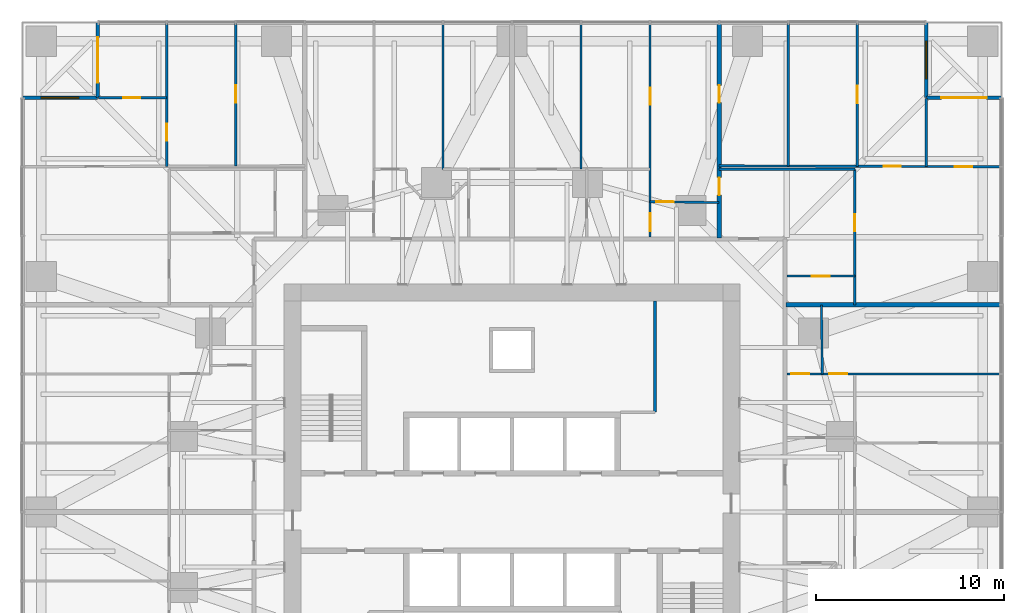
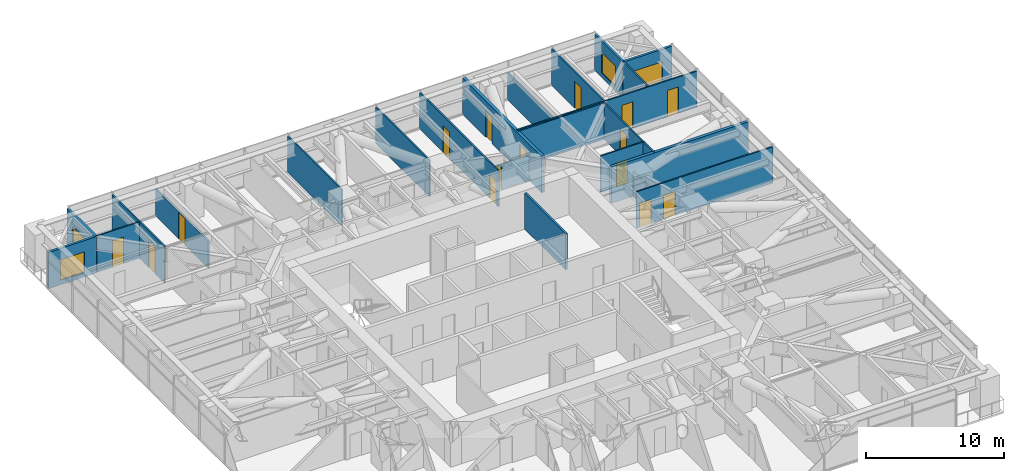
# One storey, part 15 of 17: 23 walls, 17 doors, 2 windows, 19 openings.
"""IFC4 building model written with IfcOpenShell, lengths in metres."""

from ifc_helpers import new_model, si_unit, direction, frame, frame_2d, origin, place, context, subcontext, project, spatial, rectangle, extrude, material, layer, layer_set, type_object, element, fill, save


model = new_model("IFC4")

# Units and contexts
model_context = context("Model", 3, precision=1e-05, world=origin(), true_north=direction((0.0, 1.0)))
body_context = subcontext(model_context, "Body", "Model", "MODEL_VIEW")
ifc_project = project(units=[si_unit("LENGTHUNIT", "METRE"), si_unit("AREAUNIT", "SQUARE_METRE"), si_unit("VOLUMEUNIT", "CUBIC_METRE"), si_unit("PLANEANGLEUNIT", "RADIAN"), si_unit("MASSUNIT", "GRAM", prefix="KILO")], contexts=[model_context])

# Site, building, storey
site_placement = place(None, origin())
site = spatial("IfcSite", under=ifc_project, at=site_placement, CompositionType="ELEMENT")
building_placement = place(site_placement, origin())
building = spatial("IfcBuilding", under=site, at=building_placement, Name="Torsade Residences", CompositionType="ELEMENT")
storey_placement = place(building_placement, frame((0.0, 0.0, 38.800048828125)))
storey = spatial("IfcBuildingStorey", under=building, at=storey_placement, Name="L10", CompositionType="ELEMENT", Elevation=38.800048828125)

# Wall, openings, doors
ifc_material_1 = material(Name="Plasterboard on steel stud", Category="steel")
ifc_layer_1 = layer(ifc_material_1, 0.1201171875)
ifc_layer_set_1 = layer_set([ifc_layer_1], Name="Plasterboard on steel stud")
wall_type_1 = type_object("IfcWallType", Name="PARTITION 120", PredefinedType="PARTITIONING", material=ifc_layer_set_1)
wall_1_placement = place(storey_placement, frame((65.9599609375, 37.333251953125, 0.0), z_axis=(0.0, 0.0, 1.0), x_axis=(-1.0, 0.0, 0.0)))
wall_1 = element("IfcWall", 1, at=wall_1_placement, inside=storey, type_object=wall_type_1, Name="Partition L10", PredefinedType="PARTITIONING", context=body_context, shape_type="SweptSolid", body=[
    extrude(rectangle(XDim=11.35986328125, YDim=0.1201171875, at=frame_2d((5.679931640625, 0.0))), origin(), (0.0, 0.0, 1.0), 3.199951171875),
])
opening_1_placement = place(wall_1_placement, frame((8.16552734375, 0.0, 0.0)))
opening_1 = element("IfcOpeningElement", 2, at=opening_1_placement, cuts=wall_1, Name="Opening D05", PredefinedType="OPENING", context=body_context, shape_type="SweptSolid", body=[
    extrude(rectangle(XDim=0.9599609375, YDim=2.10009765625, at=frame_2d((0.47998046875, 1.050048828125))), frame((0.0, 0.070068359375, 0.0), z_axis=(0.0, -1.0, 0.0), x_axis=(1.0, 0.0, 0.0)), (0.0, 0.0, 1.0), 0.14013671875),
])
opening_2_placement = place(wall_1_placement, frame((10.16552734375, 0.0, 0.0)))
opening_2 = element("IfcOpeningElement", 3, at=opening_2_placement, cuts=wall_1, Name="Opening D05", PredefinedType="OPENING", context=body_context, shape_type="SweptSolid", body=[
    extrude(rectangle(XDim=0.9599609375, YDim=2.10009765625, at=frame_2d((0.47998046875, 1.050048828125))), frame((0.0, 0.070068359375, 0.0), z_axis=(0.0, -1.0, 0.0), x_axis=(1.0, 0.0, 0.0)), (0.0, 0.0, 1.0), 0.14013671875),
])
ifc_material_2 = material(Name="Hollow-core timber door in a steel cavity frame", Category="steel")
door_type_1 = type_object("IfcDoorType", Name="BATHROOM CAVITY SLIDING DOOR 960", OperationType="SLIDING_TO_LEFT", PredefinedType="DOOR", material=ifc_material_2)
door_1_placement = place(opening_1_placement, origin())
door_1 = element("IfcDoor", 4, at=door_1_placement, inside=storey, type_object=door_type_1, Name="Door Ensuite to Bedroom 1", OperationType="SLIDING_TO_LEFT", OverallHeight=2.10009765625, OverallWidth=0.9599609375, PredefinedType="DOOR", context=body_context, shape_type="SweptSolid", body=[
    extrude(rectangle(XDim=0.9599609375, YDim=2.10009765625, at=frame_2d((0.47998046875, 1.050048828125))), frame((0.0, 0.02490234375, 0.0), z_axis=(0.0, -1.0, 0.0), x_axis=(1.0, 0.0, 0.0)), (0.0, 0.0, 1.0), 0.050048828125),
])
fill(opening_1, door_1)
door_2_placement = place(opening_2_placement, origin())
door_2 = element("IfcDoor", 5, at=door_2_placement, inside=storey, type_object=door_type_1, Name="Door Ensuite to Bathroom", OperationType="SLIDING_TO_LEFT", OverallHeight=2.10009765625, OverallWidth=0.9599609375, PredefinedType="DOOR", context=body_context, shape_type="SweptSolid", body=[
    extrude(rectangle(XDim=0.9599609375, YDim=2.10009765625, at=frame_2d((0.47998046875, 1.050048828125))), frame((0.0, 0.02490234375, 0.0), z_axis=(0.0, -1.0, 0.0), x_axis=(1.0, 0.0, 0.0)), (0.0, 0.0, 1.0), 0.050048828125),
])
fill(opening_2, door_2)

# Wall
wall_2_placement = place(storey_placement, frame((56.429931640625, 41.0, 0.0), z_axis=(0.0, 0.0, 1.0), x_axis=(0.013381849808, -0.999910459039, 0.0)))
element("IfcWall", 6, at=wall_2_placement, inside=storey, type_object=wall_type_1, Name="Partition L10", PredefinedType="PARTITIONING", context=body_context, shape_type="SweptSolid", body=[
    extrude(rectangle(XDim=3.6669921875, YDim=0.1201171875, at=frame_2d((1.83349609375, 0.0))), origin(), (0.0, 0.0, 1.0), 2.199951171875),
])

# Wall, opening, door
wall_3_placement = place(storey_placement, frame((58.199951171875, 42.526123046875, 0.0), z_axis=(0.0, 0.0, 1.0), x_axis=(-1.0, 0.0, 0.0)))
wall_3 = element("IfcWall", 7, at=wall_3_placement, inside=storey, type_object=wall_type_1, Name="Partition L10", PredefinedType="PARTITIONING", context=body_context, shape_type="SweptSolid", body=[
    extrude(rectangle(XDim=3.599853515625, YDim=0.1201171875, at=frame_2d((1.7998046875, 0.0))), origin(), (0.0, 0.0, 1.0), 3.199951171875),
])
opening_3_placement = place(wall_3_placement, frame((1.320068359375, 0.0, 0.0)))
opening_3 = element("IfcOpeningElement", 8, at=opening_3_placement, cuts=wall_3, Name="Opening D05", PredefinedType="OPENING", context=body_context, shape_type="SweptSolid", body=[
    extrude(rectangle(XDim=0.9599609375, YDim=2.10009765625, at=frame_2d((0.47998046875, 1.050048828125))), frame((0.0, 0.070068359375, 0.0), z_axis=(0.0, -1.0, 0.0), x_axis=(1.0, 0.0, 0.0)), (0.0, 0.0, 1.0), 0.14013671875),
])
door_3_placement = place(opening_3_placement, origin())
door_3 = element("IfcDoor", 9, at=door_3_placement, inside=storey, type_object=door_type_1, Name="Door Kitchen and dining to Bathroom", OperationType="SLIDING_TO_LEFT", OverallHeight=2.10009765625, OverallWidth=0.9599609375, PredefinedType="DOOR", context=body_context, shape_type="SweptSolid", body=[
    extrude(rectangle(XDim=0.9599609375, YDim=2.10009765625, at=frame_2d((0.47998046875, 1.050048828125))), frame((0.0, 0.02490234375, 0.0), z_axis=(0.0, -1.0, 0.0), x_axis=(1.0, 0.0, 0.0)), (0.0, 0.0, 1.0), 0.050048828125),
])
fill(opening_3, door_3)

# Wall
wall_4_placement = place(storey_placement, frame((51.0, 48.199951171875, 0.0), z_axis=(0.0, 0.0, 1.0), x_axis=(1.0, 0.0, 0.0)))
element("IfcWall", 10, at=wall_4_placement, inside=storey, type_object=wall_type_1, Name="Partition L10", PredefinedType="PARTITIONING", context=body_context, shape_type="SweptSolid", body=[
    extrude(rectangle(XDim=7.199951171875, YDim=0.1201171875, at=frame_2d((3.60009765625, 0.0))), origin(), (0.0, 0.0, 1.0), 3.199951171875),
])

# Wall, opening, door
wall_5_placement = place(storey_placement, frame((58.199951171875, 48.199951171875, 0.0), z_axis=(0.0, 0.0, 1.0), x_axis=(0.0, -1.0, 0.0)))
wall_5 = element("IfcWall", 11, at=wall_5_placement, inside=storey, type_object=wall_type_1, Name="Partition L10", PredefinedType="PARTITIONING", context=body_context, shape_type="SweptSolid", body=[
    extrude(rectangle(XDim=7.199951171875, YDim=0.1201171875, at=frame_2d((3.60009765625, 0.0))), origin(), (0.0, 0.0, 1.0), 3.199951171875),
])
opening_4_placement = place(wall_5_placement, frame((2.376953125, 0.0, 0.0)))
opening_4 = element("IfcOpeningElement", 12, at=opening_4_placement, cuts=wall_5, Name="Opening D02", PredefinedType="OPENING", context=body_context, shape_type="SweptSolid", body=[
    extrude(rectangle(XDim=0.919921875, YDim=2.340087890625, at=frame_2d((0.4599609375, 1.169921875))), frame((0.0, 0.070068359375, 0.0), z_axis=(0.0, -1.0, 0.0), x_axis=(1.0, 0.0, 0.0)), (0.0, 0.0, 1.0), 0.14013671875),
])
ifc_material_3 = material(Name="Hollow-core timber door", Category="wood")
door_type_2 = type_object("IfcDoorType", Name="INTERNAL DOOR 920x2340", OperationType="NOTDEFINED", PredefinedType="DOOR", material=ifc_material_3)
door_4_placement = place(opening_4_placement, origin())
door_4 = element("IfcDoor", 13, at=door_4_placement, inside=storey, type_object=door_type_2, Name="Door Kitchen and dining to Living room", OperationType="SINGLE_SWING_LEFT", OverallHeight=2.340087890625, OverallWidth=0.919921875, PredefinedType="DOOR", context=body_context, shape_type="SweptSolid", body=[
    extrude(rectangle(XDim=0.919921875, YDim=2.340087890625, at=frame_2d((0.4599609375, 1.169921875))), frame((0.0, 0.02490234375, 0.0), z_axis=(0.0, -1.0, 0.0), x_axis=(1.0, 0.0, 0.0)), (0.0, 0.0, 1.0), 0.050048828125),
])
fill(opening_4, door_4)

# Wall, openings, doors
wall_6_placement = place(storey_placement, frame((51.0, 48.38330078125, 0.0), z_axis=(0.0, 0.0, 1.0), x_axis=(0.9999944038, -0.003345499915, 0.0)))
wall_6 = element("IfcWall", 14, at=wall_6_placement, inside=storey, type_object=wall_type_1, Name="Partition L10", PredefinedType="PARTITIONING", context=body_context, shape_type="SweptSolid", body=[
    extrude(rectangle(XDim=14.9599609375, YDim=0.1201171875, at=frame_2d((7.47998046875, 0.0))), origin(), (0.0, 0.0, 1.0), 3.199951171875),
])
opening_5_placement = place(wall_6_placement, frame((12.51513671875, 0.0, 0.0)))
opening_5 = element("IfcOpeningElement", 15, at=opening_5_placement, cuts=wall_6, Name="Opening D02", PredefinedType="OPENING", context=body_context, shape_type="SweptSolid", body=[
    extrude(rectangle(XDim=0.919921875, YDim=2.340087890625, at=frame_2d((0.4599609375, 1.169921875))), frame((0.0, 0.070068359375, 0.0), z_axis=(0.0, -1.0, 0.0), x_axis=(1.0, 0.0, 0.0)), (0.0, 0.0, 1.0), 0.14013671875),
])
opening_6_placement = place(wall_6_placement, frame((8.731689453125, 0.0, 0.0)))
opening_6 = element("IfcOpeningElement", 16, at=opening_6_placement, cuts=wall_6, Name="Opening D02", PredefinedType="OPENING", context=body_context, shape_type="SweptSolid", body=[
    extrude(rectangle(XDim=0.919921875, YDim=2.340087890625, at=frame_2d((0.4599609375, 1.169921875))), frame((0.0, 0.070068359375, 0.0), z_axis=(0.0, -1.0, 0.0), x_axis=(1.0, 0.0, 0.0)), (0.0, 0.0, 1.0), 0.14013671875),
])
door_5_placement = place(opening_5_placement, origin())
door_5 = element("IfcDoor", 17, at=door_5_placement, inside=storey, type_object=door_type_2, Name="Door Living room to Family room", OperationType="SINGLE_SWING_LEFT", OverallHeight=2.340087890625, OverallWidth=0.919921875, PredefinedType="DOOR", context=body_context, shape_type="SweptSolid", body=[
    extrude(rectangle(XDim=0.919921875, YDim=2.340087890625, at=frame_2d((0.4599609375, 1.169921875))), frame((0.0, 0.02490234375, 0.0), z_axis=(0.0, -1.0, 0.0), x_axis=(1.0, 0.0, 0.0)), (0.0, 0.0, 1.0), 0.050048828125),
])
fill(opening_5, door_5)
door_6_placement = place(opening_6_placement, origin())
door_6 = element("IfcDoor", 18, at=door_6_placement, inside=storey, type_object=door_type_2, Name="Door Living room to Bedroom 1", OperationType="SINGLE_SWING_RIGHT", OverallHeight=2.340087890625, OverallWidth=0.919921875, PredefinedType="DOOR", context=body_context, shape_type="SweptSolid", body=[
    extrude(rectangle(XDim=0.919921875, YDim=2.340087890625, at=frame_2d((0.4599609375, 1.169921875))), frame((0.0, 0.02490234375, 0.0), z_axis=(0.0, -1.0, 0.0), x_axis=(1.0, 0.0, 0.0)), (0.0, 0.0, 1.0), 0.050048828125),
])
fill(opening_6, door_6)

# Wall, opening, door
wall_7_placement = place(storey_placement, frame((58.333251953125, 48.333251953125, 0.0), z_axis=(0.0, 0.0, 1.0), x_axis=(0.0, 1.0, 0.0)))
wall_7 = element("IfcWall", 19, at=wall_7_placement, inside=storey, type_object=wall_type_1, Name="Partition L10", PredefinedType="PARTITIONING", context=body_context, shape_type="SweptSolid", body=[
    extrude(rectangle(XDim=7.626708984375, YDim=0.1201171875, at=frame_2d((3.8134765625, 0.0))), origin(), (0.0, 0.0, 1.0), 3.199951171875),
])
opening_7_placement = place(wall_7_placement, frame((3.373291015625, 0.0, 0.0)))
opening_7 = element("IfcOpeningElement", 20, at=opening_7_placement, cuts=wall_7, Name="Opening D02", PredefinedType="OPENING", context=body_context, shape_type="SweptSolid", body=[
    extrude(rectangle(XDim=0.919921875, YDim=2.340087890625, at=frame_2d((0.4599609375, 1.169921875))), frame((0.0, 0.070068359375, 0.0), z_axis=(0.0, -1.0, 0.0), x_axis=(1.0, 0.0, 0.0)), (0.0, 0.0, 1.0), 0.14013671875),
])
door_7_placement = place(opening_7_placement, origin())
door_7 = element("IfcDoor", 21, at=door_7_placement, inside=storey, type_object=door_type_2, Name="Door Bedroom 1 to Study", OperationType="SINGLE_SWING_RIGHT", OverallHeight=2.340087890625, OverallWidth=0.919921875, PredefinedType="DOOR", context=body_context, shape_type="SweptSolid", body=[
    extrude(rectangle(XDim=0.919921875, YDim=2.340087890625, at=frame_2d((0.4599609375, 1.169921875))), frame((0.0, 0.02490234375, 0.0), z_axis=(0.0, -1.0, 0.0), x_axis=(1.0, 0.0, 0.0)), (0.0, 0.0, 1.0), 0.050048828125),
])
fill(opening_7, door_7)

# Walls
wall_8_placement = place(storey_placement, frame((62.0, 51.9599609375, 0.0), z_axis=(0.0, 0.0, 1.0), x_axis=(0.0, -1.0, 0.0)))
element("IfcWall", 22, at=wall_8_placement, inside=storey, type_object=wall_type_1, Name="Partition L10", PredefinedType="PARTITIONING", context=body_context, shape_type="SweptSolid", body=[
    extrude(rectangle(XDim=3.626708984375, YDim=0.1201171875, at=frame_2d((1.8134765625, 0.0))), origin(), (0.0, 0.0, 1.0), 3.199951171875),
])
wall_9_placement = place(storey_placement, frame((54.666748046875, 55.9599609375, 0.0), z_axis=(0.0, 0.0, 1.0), x_axis=(0.0, -1.0, 0.0)))
element("IfcWall", 23, at=wall_9_placement, inside=storey, type_object=wall_type_1, Name="Partition L10", PredefinedType="PARTITIONING", context=body_context, shape_type="SweptSolid", body=[
    extrude(rectangle(XDim=7.57666015625, YDim=0.1201171875, at=frame_2d((3.788330078125, 0.0))), origin(), (0.0, 0.0, 1.0), 2.39990234375),
])

# Wall, openings, doors
wall_10_placement = place(storey_placement, frame((47.333251953125, 44.60009765625, 0.0), z_axis=(0.0, 0.0, 1.0), x_axis=(0.0, 1.0, 0.0)))
wall_10 = element("IfcWall", 24, at=wall_10_placement, inside=storey, type_object=wall_type_1, Name="Partition L10", PredefinedType="PARTITIONING", context=body_context, shape_type="SweptSolid", body=[
    extrude(rectangle(XDim=11.35986328125, YDim=0.1201171875, at=frame_2d((5.679931640625, 0.0))), origin(), (0.0, 0.0, 1.0), 3.199951171875),
])
opening_8_placement = place(wall_10_placement, frame((7.014892578125, 0.0, 0.0)))
opening_8 = element("IfcOpeningElement", 25, at=opening_8_placement, cuts=wall_10, Name="Opening D02", PredefinedType="OPENING", context=body_context, shape_type="SweptSolid", body=[
    extrude(rectangle(XDim=0.919921875, YDim=2.340087890625, at=frame_2d((0.4599609375, 1.169921875))), frame((0.0, 0.070068359375, 0.0), z_axis=(0.0, -1.0, 0.0), x_axis=(1.0, 0.0, 0.0)), (0.0, 0.0, 1.0), 0.14013671875),
])
opening_9_placement = place(wall_10_placement, frame((0.3095703125, 0.0, 0.0)))
opening_9 = element("IfcOpeningElement", 26, at=opening_9_placement, cuts=wall_10, Name="Opening D05", PredefinedType="OPENING", context=body_context, shape_type="SweptSolid", body=[
    extrude(rectangle(XDim=0.9599609375, YDim=2.10009765625, at=frame_2d((0.47998046875, 1.050048828125))), frame((0.0, 0.070068359375, 0.0), z_axis=(0.0, -1.0, 0.0), x_axis=(1.0, 0.0, 0.0)), (0.0, 0.0, 1.0), 0.14013671875),
])
door_8_placement = place(opening_9_placement, origin())
door_8 = element("IfcDoor", 27, at=door_8_placement, inside=storey, type_object=door_type_1, Name="Door Dining room to Ensuite", OperationType="SLIDING_TO_LEFT", OverallHeight=2.10009765625, OverallWidth=0.9599609375, PredefinedType="DOOR", context=body_context, shape_type="SweptSolid", body=[
    extrude(rectangle(XDim=0.9599609375, YDim=2.10009765625, at=frame_2d((0.47998046875, 1.050048828125))), frame((0.0, 0.02490234375, 0.0), z_axis=(0.0, -1.0, 0.0), x_axis=(1.0, 0.0, 0.0)), (0.0, 0.0, 1.0), 0.050048828125),
])
fill(opening_9, door_8)
door_9_placement = place(opening_8_placement, origin())
door_9 = element("IfcDoor", 28, at=door_9_placement, inside=storey, type_object=door_type_2, Name="Door Living room 2 to Bedroom 2 2", OperationType="SINGLE_SWING_LEFT", OverallHeight=2.340087890625, OverallWidth=0.919921875, PredefinedType="DOOR", context=body_context, shape_type="SweptSolid", body=[
    extrude(rectangle(XDim=0.919921875, YDim=2.340087890625, at=frame_2d((0.4599609375, 1.169921875))), frame((0.0, 0.02490234375, 0.0), z_axis=(0.0, -1.0, 0.0), x_axis=(1.0, 0.0, 0.0)), (0.0, 0.0, 1.0), 0.050048828125),
])
fill(opening_8, door_9)

# Wall, opening, door
wall_11_placement = place(storey_placement, frame((47.333251953125, 46.47900390625, 0.0), z_axis=(0.0, 0.0, 1.0), x_axis=(0.999910459039, -0.013381849808, 0.0)))
wall_11 = element("IfcWall", 29, at=wall_11_placement, inside=storey, type_object=wall_type_1, Name="Partition L10", PredefinedType="PARTITIONING", context=body_context, shape_type="SweptSolid", body=[
    extrude(rectangle(XDim=3.6669921875, YDim=0.1201171875, at=frame_2d((1.83349609375, 0.0))), origin(), (0.0, 0.0, 1.0), 2.199951171875),
])
opening_10_placement = place(wall_11_placement, frame((0.323486328125, 0.0, 0.0)))
opening_10 = element("IfcOpeningElement", 30, at=opening_10_placement, cuts=wall_11, Name="Opening D02L", PredefinedType="OPENING", context=body_context, shape_type="SweptSolid", body=[
    extrude(rectangle(XDim=0.919921875, YDim=2.10009765625, at=frame_2d((0.4599609375, 1.050048828125))), frame((0.0, 0.070068359375, 0.0), z_axis=(0.0, -1.0, 0.0), x_axis=(1.0, 0.0, 0.0)), (0.0, 0.0, 1.0), 0.14013671875),
])
ifc_material_4 = material(Name="Hollow-core timber door", Category="wood")
door_type_3 = type_object("IfcDoorType", Name="INTERNAL DOOR 920x2100", OperationType="NOTDEFINED", PredefinedType="DOOR", material=ifc_material_4)
door_10_placement = place(opening_10_placement, origin())
door_10 = element("IfcDoor", 31, at=door_10_placement, inside=storey, type_object=door_type_3, Name="Door Living room 2 to Dining room", OperationType="SINGLE_SWING_RIGHT", OverallHeight=2.10009765625, OverallWidth=0.919921875, PredefinedType="DOOR", context=body_context, shape_type="SweptSolid", body=[
    extrude(rectangle(XDim=0.919921875, YDim=2.10009765625, at=frame_2d((0.4599609375, 1.050048828125))), frame((0.0, 0.02490234375, 0.0), z_axis=(0.0, -1.0, 0.0), x_axis=(1.0, 0.0, 0.0)), (0.0, 0.0, 1.0), 0.050048828125),
])
fill(opening_10, door_10)

# Walls
for number, where, z_axis, x_axis, name in (
    (32, (43.666748046875, 55.9599609375, 0.0), (0.0, 0.0, 1.0), (0.0, -1.0, 0.0), "Partition L10"),
    (33, (36.333251953125, 48.199951171875, 0.0), (0.0, 0.0, 1.0), (0.0, 1.0, 0.0), "Partition L10"),
):
    element("IfcWall", number, at=place(storey_placement, frame(where, z_axis=z_axis, x_axis=x_axis)), inside=storey, type_object=wall_type_1, Name=name, PredefinedType="PARTITIONING", context=body_context, shape_type="SweptSolid", body=[
        extrude(rectangle(XDim=7.760009765625, YDim=0.1201171875, at=frame_2d((3.8798828125, 0.0))), origin(), (0.0, 0.0, 1.0), 3.199951171875),
    ])

# Wall, opening, door
wall_12_placement = place(storey_placement, frame((21.666748046875, 55.9599609375, 0.0), z_axis=(0.0, 0.0, 1.0), x_axis=(0.0, -1.0, 0.0)))
wall_12 = element("IfcWall", 34, at=wall_12_placement, inside=storey, type_object=wall_type_1, Name="Partition L10", PredefinedType="PARTITIONING", context=body_context, shape_type="SweptSolid", body=[
    extrude(rectangle(XDim=7.626708984375, YDim=0.1201171875, at=frame_2d((3.8134765625, 0.0))), origin(), (0.0, 0.0, 1.0), 3.199951171875),
])
opening_11_placement = place(wall_12_placement, frame((5.333251953125, 0.0, 0.0)))
opening_11 = element("IfcOpeningElement", 35, at=opening_11_placement, cuts=wall_12, Name="Opening D02", PredefinedType="OPENING", context=body_context, shape_type="SweptSolid", body=[
    extrude(rectangle(XDim=0.919921875, YDim=2.340087890625, at=frame_2d((0.4599609375, 1.169921875))), frame((0.0, 0.070068359375, 0.0), z_axis=(0.0, -1.0, 0.0), x_axis=(1.0, 0.0, 0.0)), (0.0, 0.0, 1.0), 0.14013671875),
])
door_11_placement = place(opening_11_placement, origin())
door_11 = element("IfcDoor", 36, at=door_11_placement, inside=storey, type_object=door_type_2, Name="Door Bedroom 1 to Study", OperationType="SINGLE_SWING_RIGHT", OverallHeight=2.340087890625, OverallWidth=0.919921875, PredefinedType="DOOR", context=body_context, shape_type="SweptSolid", body=[
    extrude(rectangle(XDim=0.919921875, YDim=2.340087890625, at=frame_2d((0.4599609375, 1.169921875))), frame((0.0, 0.02490234375, 0.0), z_axis=(0.0, -1.0, 0.0), x_axis=(1.0, 0.0, 0.0)), (0.0, 0.0, 1.0), 0.050048828125),
])
fill(opening_11, door_11)

wall_13_placement = place(storey_placement, frame((18.0400390625, 52.0, 0.0), z_axis=(0.0, 0.0, 1.0), x_axis=(1.0, 0.0, 0.0)))
wall_13 = element("IfcWall", 37, at=wall_13_placement, inside=storey, type_object=wall_type_1, Name="Partition L10", PredefinedType="PARTITIONING", context=body_context, shape_type="SweptSolid", body=[
    extrude(rectangle(XDim=3.626708984375, YDim=0.1201171875, at=frame_2d((1.8134765625, 0.0))), origin(), (0.0, 0.0, 1.0), 3.199951171875),
])
opening_12_placement = place(wall_13_placement, frame((1.308349609375, 0.0, 0.0)))
opening_12 = element("IfcOpeningElement", 38, at=opening_12_placement, cuts=wall_13, Name="Opening D02", PredefinedType="OPENING", context=body_context, shape_type="SweptSolid", body=[
    extrude(rectangle(XDim=0.919921875, YDim=2.340087890625, at=frame_2d((0.4599609375, 1.169921875))), frame((0.0, 0.070068359375, 0.0), z_axis=(0.0, -1.0, 0.0), x_axis=(1.0, 0.0, 0.0)), (0.0, 0.0, 1.0), 0.14013671875),
])
door_12_placement = place(opening_12_placement, origin())
door_12 = element("IfcDoor", 39, at=door_12_placement, inside=storey, type_object=door_type_2, Name="Door Bedroom 1 to Family room", OperationType="SINGLE_SWING_RIGHT", OverallHeight=2.340087890625, OverallWidth=0.919921875, PredefinedType="DOOR", context=body_context, shape_type="SweptSolid", body=[
    extrude(rectangle(XDim=0.919921875, YDim=2.340087890625, at=frame_2d((0.4599609375, 1.169921875))), frame((0.0, 0.02490234375, 0.0), z_axis=(0.0, -1.0, 0.0), x_axis=(1.0, 0.0, 0.0)), (0.0, 0.0, 1.0), 0.050048828125),
])
fill(opening_12, door_12)

wall_14_placement = place(storey_placement, frame((25.333251953125, 48.38330078125, 0.0), z_axis=(0.0, 0.0, 1.0), x_axis=(0.0, 1.0, 0.0)))
wall_14 = element("IfcWall", 40, at=wall_14_placement, inside=storey, type_object=wall_type_1, Name="Partition L10", PredefinedType="PARTITIONING", context=body_context, shape_type="SweptSolid", body=[
    extrude(rectangle(XDim=7.57666015625, YDim=0.1201171875, at=frame_2d((3.788330078125, 0.0))), origin(), (0.0, 0.0, 1.0), 2.39990234375),
])
opening_13_placement = place(wall_14_placement, frame((3.348388671875, 0.0, 0.0)))
opening_13 = element("IfcOpeningElement", 41, at=opening_13_placement, cuts=wall_14, Name="Opening D02", PredefinedType="OPENING", context=body_context, shape_type="SweptSolid", body=[
    extrude(rectangle(XDim=0.919921875, YDim=2.340087890625, at=frame_2d((0.4599609375, 1.169921875))), frame((0.0, 0.070068359375, 0.0), z_axis=(0.0, -1.0, 0.0), x_axis=(1.0, 0.0, 0.0)), (0.0, 0.0, 1.0), 0.14013671875),
])
door_13_placement = place(opening_13_placement, origin())
door_13 = element("IfcDoor", 42, at=door_13_placement, inside=storey, type_object=door_type_2, Name="Door Study to Bedroom 2", OperationType="SINGLE_SWING_LEFT", OverallHeight=2.340087890625, OverallWidth=0.919921875, PredefinedType="DOOR", context=body_context, shape_type="SweptSolid", body=[
    extrude(rectangle(XDim=0.919921875, YDim=2.340087890625, at=frame_2d((0.4599609375, 1.169921875))), frame((0.0, 0.02490234375, 0.0), z_axis=(0.0, -1.0, 0.0), x_axis=(1.0, 0.0, 0.0)), (0.0, 0.0, 1.0), 0.050048828125),
])
fill(opening_13, door_13)

# Wall
ifc_material_5 = material(Name="Masonry-lined stud party wall", Category="masonry")
ifc_layer_2 = layer(ifc_material_5, 0.25)
ifc_layer_set_2 = layer_set([ifc_layer_2], Name="Masonry-lined stud party wall")
wall_type_2 = type_object("IfcWallType", Name="PARTY WALL 250", PredefinedType="PARTITIONING", material=ifc_layer_set_2)
wall_15_placement = place(storey_placement, frame((66.0, 41.0, 0.0), z_axis=(0.0, 0.0, 1.0), x_axis=(-1.0, 0.0, 0.0)))
element("IfcWall", 43, at=wall_15_placement, inside=storey, type_object=wall_type_2, Name="Party wall L10", PredefinedType="PARTITIONING", context=body_context, shape_type="SweptSolid", body=[
    extrude(rectangle(XDim=11.43994140625, YDim=0.25, at=frame_2d((5.719970703125, 0.0))), origin(), (0.0, 0.0, 1.0), 3.199951171875),
])

# Wall, openings, doors
wall_16_placement = place(storey_placement, frame((51.0, 56.0, 0.0), z_axis=(0.0, 0.0, 1.0), x_axis=(0.0, -1.0, 0.0)))
wall_16 = element("IfcWall", 44, at=wall_16_placement, inside=storey, type_object=wall_type_2, Name="Party wall L10", PredefinedType="PARTITIONING", context=body_context, shape_type="SweptSolid", body=[
    extrude(rectangle(XDim=11.43994140625, YDim=0.25, at=frame_2d((5.719970703125, 0.0))), origin(), (0.0, 0.0, 1.0), 3.199951171875),
])
opening_14_placement = place(wall_16_placement, frame((8.25, 0.0, 0.0)))
opening_14 = element("IfcOpeningElement", 45, at=opening_14_placement, cuts=wall_16, Name="Opening D02", PredefinedType="OPENING", context=body_context, shape_type="SweptSolid", body=[
    extrude(rectangle(XDim=0.919921875, YDim=2.340087890625, at=frame_2d((0.4599609375, 1.169921875))), frame((0.0, 0.135009765625, 0.0), z_axis=(0.0, -1.0, 0.0), x_axis=(1.0, 0.0, 0.0)), (0.0, 0.0, 1.0), 0.27001953125),
])
opening_15_placement = place(wall_16_placement, frame((3.348388671875, 0.0, 0.0)))
opening_15 = element("IfcOpeningElement", 46, at=opening_15_placement, cuts=wall_16, Name="Opening D02", PredefinedType="OPENING", context=body_context, shape_type="SweptSolid", body=[
    extrude(rectangle(XDim=0.919921875, YDim=2.340087890625, at=frame_2d((0.4599609375, 1.169921875))), frame((0.0, 0.135009765625, 0.0), z_axis=(0.0, -1.0, 0.0), x_axis=(1.0, 0.0, 0.0)), (0.0, 0.0, 1.0), 0.27001953125),
])
door_14_placement = place(opening_14_placement, origin())
door_14 = element("IfcDoor", 47, at=door_14_placement, inside=storey, type_object=door_type_2, Name="Door Kitchen and dining to Living room 2", OperationType="SINGLE_SWING_LEFT", OverallHeight=2.340087890625, OverallWidth=0.919921875, PredefinedType="DOOR", context=body_context, shape_type="SweptSolid", body=[
    extrude(rectangle(XDim=0.919921875, YDim=2.340087890625, at=frame_2d((0.4599609375, 1.169921875))), frame((0.0, 0.02490234375, 0.0), z_axis=(0.0, -1.0, 0.0), x_axis=(1.0, 0.0, 0.0)), (0.0, 0.0, 1.0), 0.050048828125),
])
fill(opening_14, door_14)
door_15_placement = place(opening_15_placement, origin())
door_15 = element("IfcDoor", 48, at=door_15_placement, inside=storey, type_object=door_type_2, Name="Door Living room 2 to Bedroom 2", OperationType="SINGLE_SWING_RIGHT", OverallHeight=2.340087890625, OverallWidth=0.919921875, PredefinedType="DOOR", context=body_context, shape_type="SweptSolid", body=[
    extrude(rectangle(XDim=0.919921875, YDim=2.340087890625, at=frame_2d((0.4599609375, 1.169921875))), frame((0.0, 0.02490234375, 0.0), z_axis=(0.0, -1.0, 0.0), x_axis=(1.0, 0.0, 0.0)), (0.0, 0.0, 1.0), 0.050048828125),
])
fill(opening_15, door_15)

# Wall
ifc_material_6 = material(Name="Reinforced blockwork", Category="masonry")
ifc_layer_3 = layer(ifc_material_6, 0.14990234375)
ifc_layer_set_3 = layer_set([ifc_layer_3], Name="Reinforced blockwork")
wall_type_3 = type_object("IfcWallType", Name="SERVICE ROOM WALL 150", PredefinedType="SOLIDWALL", material=ifc_layer_set_3)
wall_17_placement = place(storey_placement, frame((47.60009765625, 41.199951171875, 0.0), z_axis=(0.0, 0.0, 1.0), x_axis=(0.0, -1.0, 0.0)))
element("IfcWall", 49, at=wall_17_placement, inside=storey, type_object=wall_type_3, Name="Service room wall L10", PredefinedType="SOLIDWALL", context=body_context, shape_type="SweptSolid", body=[
    extrude(rectangle(XDim=5.89990234375, YDim=0.14990234375, at=frame_2d((2.949951171875, 0.0))), origin(), (0.0, 0.0, 1.0), 3.199951171875),
])

# Wall, opening, door
ifc_material_7 = material(Name="Stone-faced precast concrete 40 MPa panel", Category="masonry")
ifc_layer_4 = layer(ifc_material_7, 0.199951171875)
ifc_layer_set_4 = layer_set([ifc_layer_4], Name="Stone-faced precast concrete 40 MPa panel")
wall_type_4 = type_object("IfcWallType", Name="TERRACE WALL 200", PredefinedType="SOLIDWALL", material=ifc_layer_set_4)
wall_18_placement = place(storey_placement, frame((66.0, 52.0, 0.0), z_axis=(0.0, 0.0, 1.0), x_axis=(-1.0, 0.0, 0.0)))
wall_18 = element("IfcWall", 50, at=wall_18_placement, inside=storey, type_object=wall_type_4, Name="Terrace wall L10 5", PredefinedType="SOLIDWALL", context=body_context, shape_type="SweptSolid", body=[
    extrude(rectangle(XDim=4.0, YDim=0.199951171875, at=frame_2d((2.0, 0.0))), origin(), (0.0, 0.0, 1.0), 3.199951171875),
])
opening_16_placement = place(wall_18_placement, frame((0.800048828125, 0.0, 0.0)))
opening_16 = element("IfcOpeningElement", 51, at=opening_16_placement, cuts=wall_18, Name="Opening D10A", PredefinedType="OPENING", context=body_context, shape_type="SweptSolid", body=[
    extrude(rectangle(XDim=2.39990234375, YDim=2.10009765625, at=frame_2d((1.199951171875, 1.050048828125))), frame((0.0, 0.10986328125, 0.0), z_axis=(0.0, -1.0, 0.0), x_axis=(1.0, 0.0, 0.0)), (0.0, 0.0, 1.0), 0.219970703125),
])
ifc_material_8 = material(Name="Aluminium-framed glass door", Category="aluminium")
door_type_4 = type_object("IfcDoorType", Name="TERRACE SLIDING DOOR 2400x2100", OperationType="SLIDING_TO_LEFT", PredefinedType="DOOR", material=ifc_material_8)
door_16_placement = place(opening_16_placement, origin())
door_16 = element("IfcDoor", 52, at=door_16_placement, inside=storey, type_object=door_type_4, Name="Terrace door L10 5", OperationType="SLIDING_TO_LEFT", OverallHeight=2.10009765625, OverallWidth=2.39990234375, PredefinedType="DOOR", context=body_context, shape_type="SweptSolid", body=[
    extrude(rectangle(XDim=2.39990234375, YDim=2.10009765625, at=frame_2d((1.199951171875, 1.050048828125))), frame((0.0, 0.02490234375, 0.0), z_axis=(0.0, -1.0, 0.0), x_axis=(1.0, 0.0, 0.0)), (0.0, 0.0, 1.0), 0.050048828125),
])
fill(opening_16, door_16)

# Wall, opening, window
wall_19_placement = place(storey_placement, frame((62.0, 52.0, 0.0), z_axis=(0.0, 0.0, 1.0), x_axis=(0.0, 1.0, 0.0)))
wall_19 = element("IfcWall", 53, at=wall_19_placement, inside=storey, type_object=wall_type_4, Name="Terrace wall L10 6", PredefinedType="SOLIDWALL", context=body_context, shape_type="SweptSolid", body=[
    extrude(rectangle(XDim=4.0, YDim=0.199951171875, at=frame_2d((2.0, 0.0))), origin(), (0.0, 0.0, 1.0), 3.199951171875),
])
opening_17_placement = place(wall_19_placement, frame((1.0, 0.0, 0.39990234375)))
opening_17 = element("IfcOpeningElement", 54, at=opening_17_placement, cuts=wall_19, Name="Opening W1B", PredefinedType="OPENING", context=body_context, shape_type="SweptSolid", body=[
    extrude(rectangle(XDim=2.0, YDim=1.800048828125, at=frame_2d((1.0, 0.89990234375))), frame((0.0, 0.10986328125, 0.0), z_axis=(0.0, -1.0, 0.0), x_axis=(1.0, 0.0, 0.0)), (0.0, 0.0, 1.0), 0.219970703125),
])
ifc_material_9 = material(Name="Aluminium-framed glass window", Category="aluminium")
window_type = type_object("IfcWindowType", Name="TERRACE WINDOW 2000x1800", PartitioningType="SINGLE_PANEL", PredefinedType="WINDOW", material=ifc_material_9)
window_1_placement = place(opening_17_placement, origin())
window_1 = element("IfcWindow", 55, at=window_1_placement, inside=storey, type_object=window_type, Name="Terrace window L10 6", OverallHeight=1.800048828125, OverallWidth=2.0, PartitioningType="SINGLE_PANEL", PredefinedType="WINDOW", context=body_context, shape_type="SweptSolid", body=[
    extrude(rectangle(XDim=2.0, YDim=1.800048828125, at=frame_2d((1.0, 0.89990234375))), frame((0.0, 0.030029296875, 0.0), z_axis=(0.0, -1.0, 0.0), x_axis=(1.0, 0.0, 0.0)), (0.0, 0.0, 1.0), 0.06005859375),
])
fill(opening_17, window_1)

# Wall, opening, door
wall_20_placement = place(storey_placement, frame((18.0, 56.0, 0.0), z_axis=(0.0, 0.0, 1.0), x_axis=(0.0, -1.0, 0.0)))
wall_20 = element("IfcWall", 56, at=wall_20_placement, inside=storey, type_object=wall_type_4, Name="Terrace wall L10 8", PredefinedType="SOLIDWALL", context=body_context, shape_type="SweptSolid", body=[
    extrude(rectangle(XDim=4.0, YDim=0.199951171875, at=frame_2d((2.0, 0.0))), origin(), (0.0, 0.0, 1.0), 3.199951171875),
])
opening_18_placement = place(wall_20_placement, frame((0.800048828125, 0.0, 0.0)))
opening_18 = element("IfcOpeningElement", 57, at=opening_18_placement, cuts=wall_20, Name="Opening D10A", PredefinedType="OPENING", context=body_context, shape_type="SweptSolid", body=[
    extrude(rectangle(XDim=2.39990234375, YDim=2.10009765625, at=frame_2d((1.199951171875, 1.050048828125))), frame((0.0, 0.10986328125, 0.0), z_axis=(0.0, -1.0, 0.0), x_axis=(1.0, 0.0, 0.0)), (0.0, 0.0, 1.0), 0.219970703125),
])
door_17_placement = place(opening_18_placement, origin())
door_17 = element("IfcDoor", 58, at=door_17_placement, inside=storey, type_object=door_type_4, Name="Terrace door L10 8", OperationType="SLIDING_TO_LEFT", OverallHeight=2.10009765625, OverallWidth=2.39990234375, PredefinedType="DOOR", context=body_context, shape_type="SweptSolid", body=[
    extrude(rectangle(XDim=2.39990234375, YDim=2.10009765625, at=frame_2d((1.199951171875, 1.050048828125))), frame((0.0, 0.02490234375, 0.0), z_axis=(0.0, -1.0, 0.0), x_axis=(1.0, 0.0, 0.0)), (0.0, 0.0, 1.0), 0.050048828125),
])
fill(opening_18, door_17)

# Wall, opening, window
wall_21_placement = place(storey_placement, frame((18.0, 52.0, 0.0), z_axis=(0.0, 0.0, 1.0), x_axis=(-1.0, 0.0, 0.0)))
wall_21 = element("IfcWall", 59, at=wall_21_placement, inside=storey, type_object=wall_type_4, Name="Terrace wall L10 9", PredefinedType="SOLIDWALL", context=body_context, shape_type="SweptSolid", body=[
    extrude(rectangle(XDim=4.0, YDim=0.199951171875, at=frame_2d((2.0, 0.0))), origin(), (0.0, 0.0, 1.0), 3.199951171875),
])
opening_19_placement = place(wall_21_placement, frame((1.0, 0.0, 0.39990234375)))
opening_19 = element("IfcOpeningElement", 60, at=opening_19_placement, cuts=wall_21, Name="Opening W1B", PredefinedType="OPENING", context=body_context, shape_type="SweptSolid", body=[
    extrude(rectangle(XDim=2.0, YDim=1.800048828125, at=frame_2d((1.0, 0.89990234375))), frame((0.0, 0.10986328125, 0.0), z_axis=(0.0, -1.0, 0.0), x_axis=(1.0, 0.0, 0.0)), (0.0, 0.0, 1.0), 0.219970703125),
])
window_2_placement = place(opening_19_placement, origin())
window_2 = element("IfcWindow", 61, at=window_2_placement, inside=storey, type_object=window_type, Name="Terrace window L10 9", OverallHeight=1.800048828125, OverallWidth=2.0, PartitioningType="SINGLE_PANEL", PredefinedType="WINDOW", context=body_context, shape_type="SweptSolid", body=[
    extrude(rectangle(XDim=2.0, YDim=1.800048828125, at=frame_2d((1.0, 0.89990234375))), frame((0.0, 0.030029296875, 0.0), z_axis=(0.0, -1.0, 0.0), x_axis=(1.0, 0.0, 0.0)), (0.0, 0.0, 1.0), 0.06005859375),
])
fill(opening_19, window_2)

save(model, "model.ifc")
